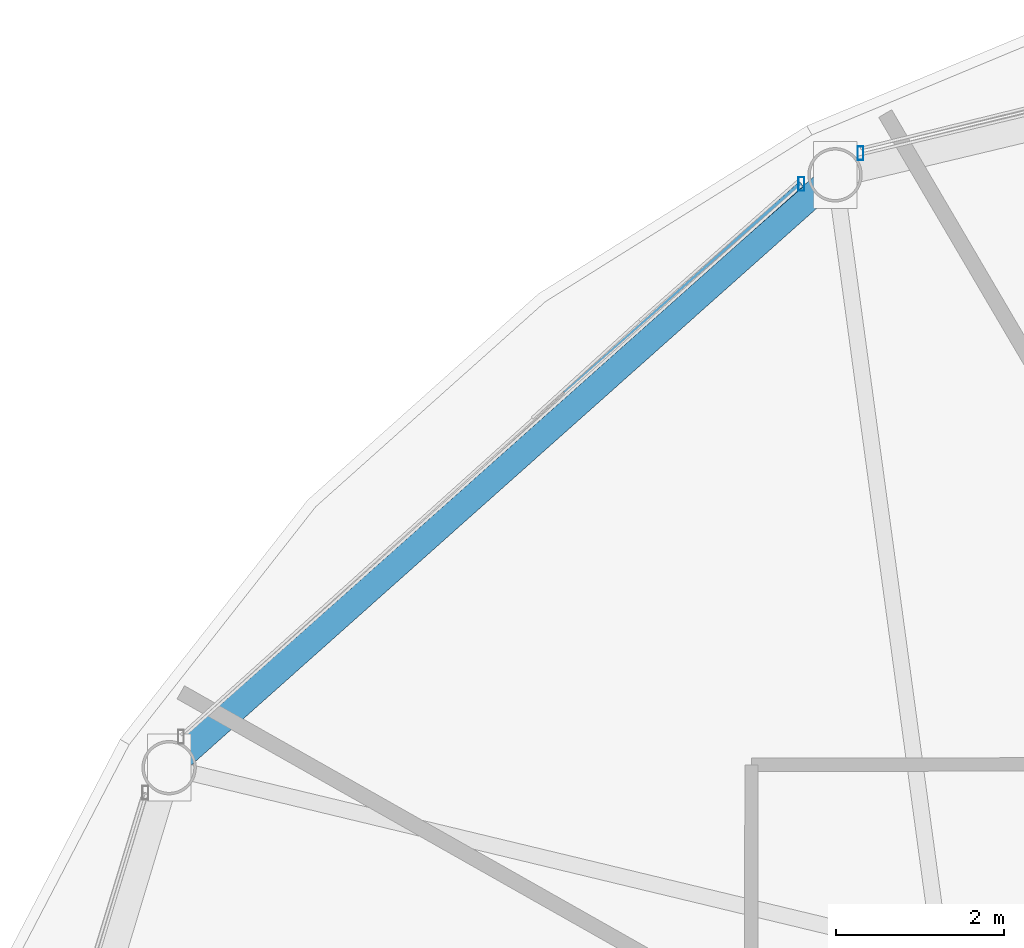
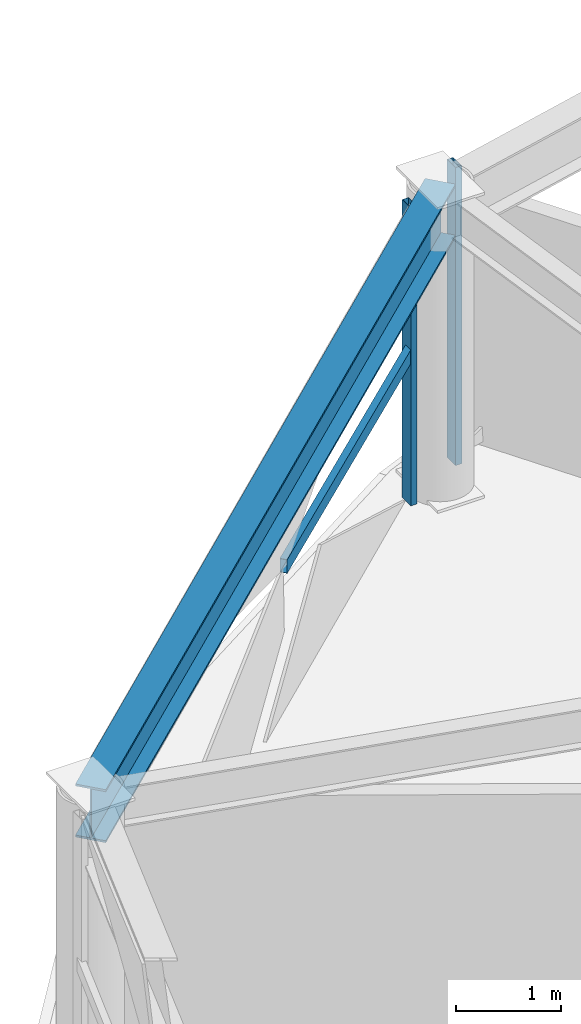
# One storey, part 16 of 28: 3 members, 1 beam, 2 elements without a shape of their own.
"""IFC4 building model written with IfcOpenShell, lengths in metres."""

from ifc_helpers import new_model, si_unit, direction, frame, origin, origin_2d, place, context, subcontext, project, spatial, hollow_rectangle, i_section, extrude, material, layer, layer_set, material_profile, profile_set, type_object, element, aggregate, save


model = new_model("IFC4")

# Units and contexts
model_context = context("Model", 3, precision=1e-05, world=origin(), true_north=direction((0.0, 1.0)))
body_context = subcontext(model_context, "Body", "Model", "MODEL_VIEW")
ifc_project = project(units=[si_unit("LENGTHUNIT", "METRE"), si_unit("AREAUNIT", "SQUARE_METRE"), si_unit("VOLUMEUNIT", "CUBIC_METRE"), si_unit("PLANEANGLEUNIT", "RADIAN"), si_unit("MASSUNIT", "GRAM", prefix="KILO")], contexts=[model_context])

# Site, building, storey
site_placement = place(None, origin())
site = spatial("IfcSite", under=ifc_project, at=site_placement, CompositionType="ELEMENT")
building_placement = place(site_placement, origin())
building = spatial("IfcBuilding", under=site, at=building_placement, Name="Vantalir Tower", CompositionType="ELEMENT")
storey_placement = place(building_placement, frame((0.0, 0.0, 238.64990234375)))
storey = spatial("IfcBuildingStorey", under=building, at=storey_placement, Name="L60", CompositionType="ELEMENT", Elevation=238.64990234375)

# Beam
ifc_material_1 = material(Name="Steel S460", Category="steel")
ifc_material_profile_1 = material_profile(ifc_material_1, i_section(OverallWidth=0.306884765625, OverallDepth=0.6201171875, WebThickness=0.01416015625, FlangeThickness=0.023681640625, at=origin_2d()), Name="Steel S460")
ifc_profile_set_1 = profile_set([ifc_material_profile_1], Name="Steel S460")
beam_type = type_object("IfcBeamType", Name="BM-RG-610x305", PredefinedType="USERDEFINED", material=ifc_profile_set_1)
beam_placement = place(storey_placement, frame((20.64111328125, 41.742919921875, 3.260009765625), z_axis=(-0.746899058065, -0.664937438456, 0.0), x_axis=(0.664937438456, -0.746899058065, 0.0)))
element("IfcBeam", 1, at=beam_placement, inside=storey, type_object=beam_type, Name="L60 Circumferential Ring Girder 05", ObjectType="GIRDER", PredefinedType="USERDEFINED", context=body_context, shape_type="SweptSolid", body=[
    extrude(i_section(OverallWidth=0.306884765625, OverallDepth=0.6201171875, WebThickness=0.01416015625, FlangeThickness=0.023681640625, at=origin_2d()), origin(), (0.0, 0.0, 1.0), 10.64306640625),
])

# Curtain wall, member
ifc_material_2 = material(Name="Champagne-silver PVDF aluminium and double-silver Low-E glass", Category="aluminium")
ifc_layer = layer(ifc_material_2, 0.2099609375)
ifc_layer_set = layer_set([ifc_layer], Name="Champagne-silver PVDF aluminium and double-silver Low-E glass")
curtain_wall_type = type_object("IfcCurtainWallType", Name="CW-DIAMOND-Z3", PredefinedType="USERDEFINED", material=ifc_layer_set)
curtain_wall_1_placement = place(storey_placement, origin())
curtain_wall_1 = element("IfcCurtainWall", 2, at=curtain_wall_1_placement, inside=storey, type_object=curtain_wall_type, Name="L60 Quilted Pyramid-Diamond Curtain Wall S04", ObjectType="UNITISED CURTAIN WALL", PredefinedType="USERDEFINED")
ifc_material_3 = material(Name="Champagne-silver PVDF aluminium 6063-T6", Category="aluminium")
ifc_material_profile_2 = material_profile(ifc_material_3, hollow_rectangle(XDim=0.070068359375, YDim=0.1650390625, WallThickness=0.00390625, at=origin_2d()), Name="Champagne-silver PVDF aluminium 6063-T6")
ifc_profile_set_2 = profile_set([ifc_material_profile_2], Name="Champagne-silver PVDF aluminium 6063-T6")
member_type_1 = type_object("IfcMemberType", Name="CWM-165x70", PredefinedType="MULLION", material=ifc_profile_set_2)
member_1_placement = place(storey_placement, frame((20.945068359375, 42.001953125, 0.045166015625), z_axis=(0.0, 0.0, 1.0), x_axis=(1.0, 0.0, 0.0)))
member_1 = element("IfcMember", 3, at=member_1_placement, type_object=member_type_1, Name="CW-L60-S04 Mullion 2", PredefinedType="MULLION", context=body_context, shape_type="SweptSolid", body=[
    extrude(hollow_rectangle(XDim=0.070068359375, YDim=0.1650390625, WallThickness=0.00390625, at=origin_2d()), origin(), (0.0, 0.0, 1.0), 3.47998046875),
])
aggregate(curtain_wall_1, [member_1])

# Curtain wall, members
curtain_wall_2_placement = place(storey_placement, origin())
curtain_wall_2 = element("IfcCurtainWall", 4, at=curtain_wall_2_placement, inside=storey, type_object=curtain_wall_type, Name="L60 Quilted Pyramid-Diamond Curtain Wall S05", ObjectType="UNITISED CURTAIN WALL", PredefinedType="USERDEFINED")
member_2_placement = place(storey_placement, frame((20.239990234375, 41.634033203125, 0.045166015625), z_axis=(0.0, 0.0, 1.0), x_axis=(1.0, 0.0, 0.0)))
member_2 = element("IfcMember", 5, at=member_2_placement, type_object=member_type_1, Name="CW-L60-S05 Mullion 1", PredefinedType="MULLION", context=body_context, shape_type="SweptSolid", body=[
    extrude(hollow_rectangle(XDim=0.070068359375, YDim=0.1650390625, WallThickness=0.00390625, at=origin_2d()), origin(), (0.0, 0.0, 1.0), 3.47998046875),
])
ifc_material_profile_3 = material_profile(ifc_material_3, hollow_rectangle(XDim=0.074951171875, YDim=0.159912109375, WallThickness=0.00390625, at=origin_2d()), Name="Champagne-silver PVDF aluminium 6063-T6")
ifc_profile_set_3 = profile_set([ifc_material_profile_3], Name="Champagne-silver PVDF aluminium 6063-T6")
member_type_2 = type_object("IfcMemberType", Name="CWT-160x75", PredefinedType="USERDEFINED", material=ifc_profile_set_3)
member_3_placement = place(storey_placement, frame((20.239990234375, 41.634033203125, 1.78515625), z_axis=(-0.75087400777, -0.660445474248, 0.0), x_axis=(0.660445474248, -0.75087400777, 0.0)))
member_3 = element("IfcMember", 6, at=member_3_placement, type_object=member_type_2, Name="CW-L60-S05 Pyramid Fold Ridge Transom", ObjectType="TRANSOM", PredefinedType="USERDEFINED", context=body_context, shape_type="SweptSolid", body=[
    extrude(hollow_rectangle(XDim=0.074951171875, YDim=0.159912109375, WallThickness=0.00390625, at=origin_2d()), origin(), (0.0, 0.0, 1.0), 3.771728515625),
])
aggregate(curtain_wall_2, [member_2, member_3])

save(model, "model.ifc")
